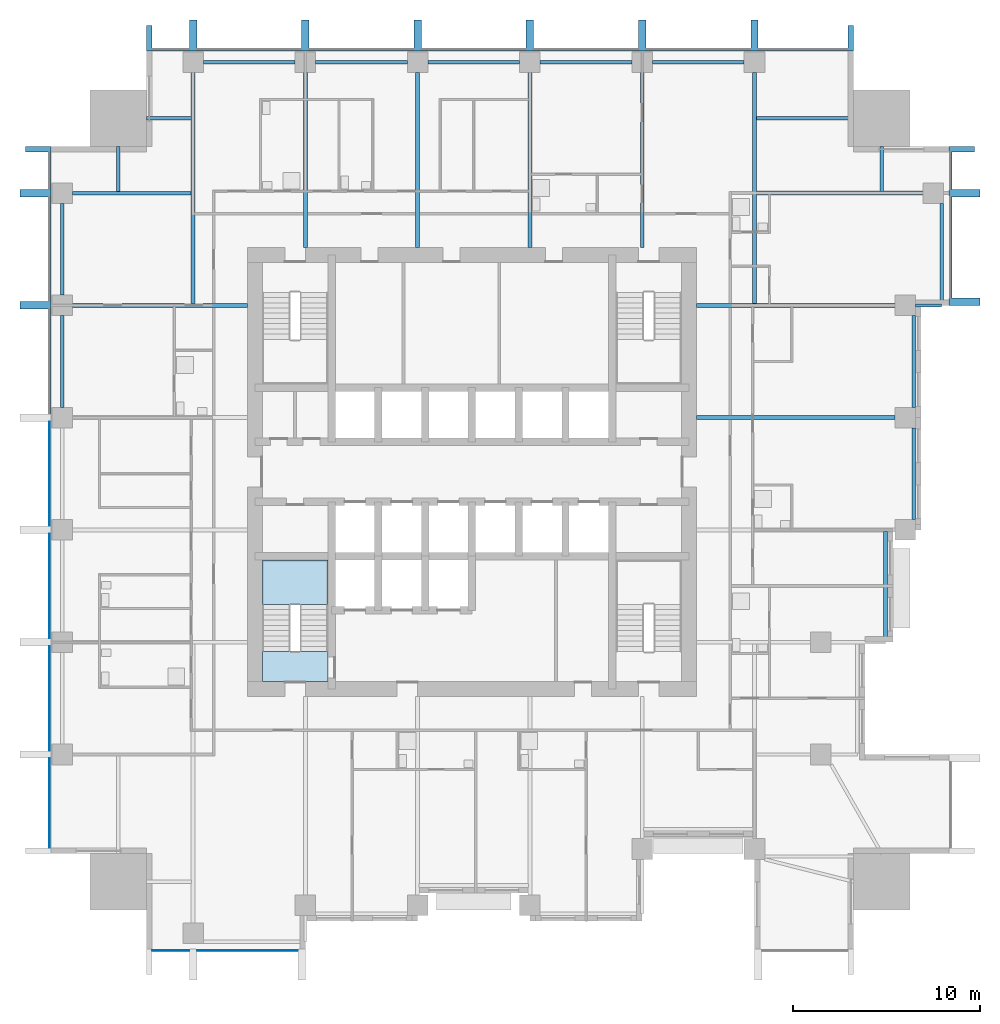
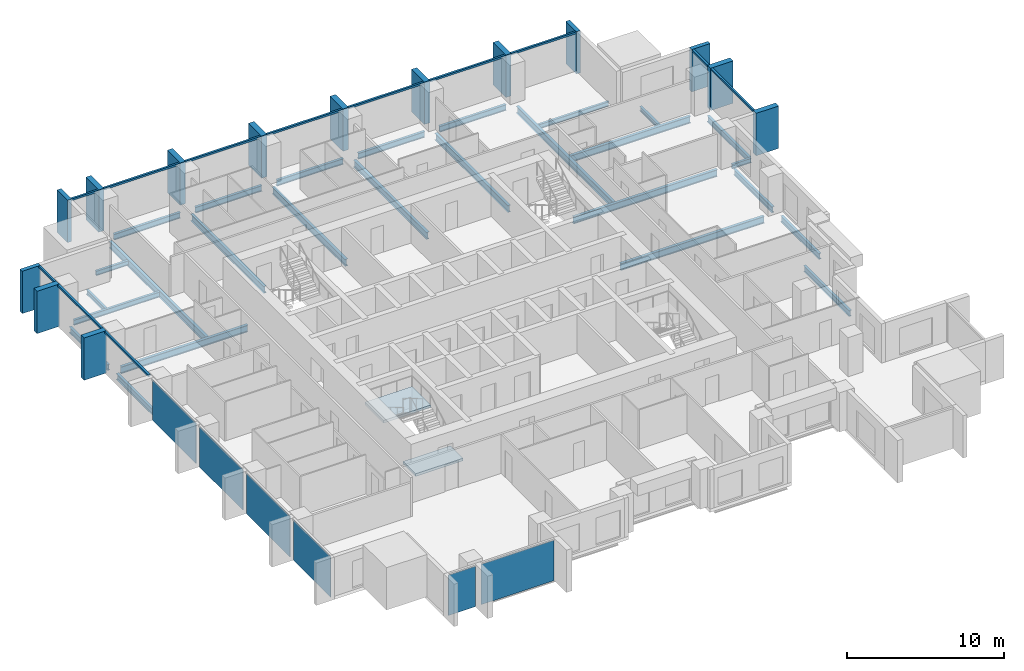
# One storey, part 2 of 10: 27 beams, 26 members, 6 plates, 2 slabs, 5 elements without a shape of their own.
"""IFC4 building model written with IfcOpenShell, lengths in metres."""

from ifc_helpers import new_model, si_unit, direction, frame, origin, origin_2d, place, context, subcontext, project, spatial, polyline, rectangle, i_section, outline, extrude, material, layer, layer_set, material_profile, profile_set, type_object, element, aggregate, save


model = new_model("IFC4")

# Units and contexts
model_context = context("Model", 3, precision=1e-05, world=origin(), true_north=direction((0.0, 1.0)))
body_context = subcontext(model_context, "Body", "Model", "MODEL_VIEW")
ifc_project = project(units=[si_unit("LENGTHUNIT", "METRE"), si_unit("AREAUNIT", "SQUARE_METRE"), si_unit("VOLUMEUNIT", "CUBIC_METRE"), si_unit("PLANEANGLEUNIT", "RADIAN"), si_unit("MASSUNIT", "GRAM", prefix="KILO")], contexts=[model_context])

# Site, building, storey
site_placement = place(None, origin())
site = spatial("IfcSite", under=ifc_project, at=site_placement, CompositionType="ELEMENT")
building_placement = place(site_placement, origin())
building = spatial("IfcBuilding", under=site, at=building_placement, Name="Amberfall Residences", CompositionType="ELEMENT")
storey_placement = place(building_placement, frame((0.0, 0.0, 118.300048828125)))
storey = spatial("IfcBuildingStorey", under=building, at=storey_placement, Name="L32", CompositionType="ELEMENT", Elevation=118.300048828125)

# Curtain wall, members
ifc_material_1 = material(Name="Bronze anodised aluminium and glass", Category="aluminium")
curtain_wall_type = type_object("IfcCurtainWallType", Name="Curtain wall CW1 tower unit", PredefinedType="USERDEFINED", material=ifc_material_1)
curtain_wall_1_placement = place(storey_placement, origin())
curtain_wall_1 = element("IfcCurtainWall", 1, at=curtain_wall_1_placement, inside=storey, type_object=curtain_wall_type, Name="Curtain wall L32 E E10", ObjectType="UNITISED CURTAIN WALL", PredefinedType="USERDEFINED")
ifc_material_2 = material(Name="Bronze anodised aluminium", Category="aluminium")
ifc_material_profile_1 = material_profile(ifc_material_2, rectangle(XDim=0.14990234375, YDim=0.14990234375, at=origin_2d()), Name="CW1 transom 150 x 150 bronze")
ifc_profile_set_1 = profile_set([ifc_material_profile_1], Name="Bronze anodised aluminium")
member_type_1 = type_object("IfcMemberType", Name="CW1 transom 150 x 150 bronze", PredefinedType="USERDEFINED", material=ifc_profile_set_1)
member_1_placement = place(storey_placement, frame((100.074951171875, 54.800048828125, 2.974853515625), z_axis=(0.0, 1.0, 0.0), x_axis=(-1.0, 0.0, 0.0)))
member_1 = element("IfcMember", 2, at=member_1_placement, type_object=member_type_1, Name="CW1 transom 1.1", ObjectType="TRANSOM", PredefinedType="USERDEFINED", context=body_context, shape_type="SweptSolid", body=[
    extrude(rectangle(XDim=0.14990234375, YDim=0.14990234375, at=origin_2d()), origin(), (0.0, 0.0, 1.0), 5.39990234375),
])
member_2_placement = place(storey_placement, frame((100.074951171875, 60.60009765625, 2.974853515625), z_axis=(0.0, 1.0, 0.0), x_axis=(-1.0, 0.0, 0.0)))
member_2 = element("IfcMember", 3, at=member_2_placement, type_object=member_type_1, Name="CW1 transom 2.1", ObjectType="TRANSOM", PredefinedType="USERDEFINED", context=body_context, shape_type="SweptSolid", body=[
    extrude(rectangle(XDim=0.14990234375, YDim=0.14990234375, at=origin_2d()), origin(), (0.0, 0.0, 1.0), 2.0),
])

curtain_wall_2_placement = place(storey_placement, origin())
curtain_wall_2 = element("IfcCurtainWall", 4, at=curtain_wall_2_placement, inside=storey, type_object=curtain_wall_type, Name="Curtain wall L32 N N1", ObjectType="UNITISED CURTAIN WALL", PredefinedType="USERDEFINED")
member_3_placement = place(storey_placement, frame((94.60009765625, 68.074951171875, 2.974853515625), z_axis=(-1.0, 0.0, 0.0), x_axis=(0.0, -1.0, 0.0)))
member_3 = element("IfcMember", 5, at=member_3_placement, type_object=member_type_1, Name="CW1 transom 1.1", ObjectType="TRANSOM", PredefinedType="USERDEFINED", context=body_context, shape_type="SweptSolid", body=[
    extrude(rectangle(XDim=0.14990234375, YDim=0.14990234375, at=origin_2d()), origin(), (0.0, 0.0, 1.0), 4.800048828125),
])
member_4_placement = place(storey_placement, frame((89.39990234375, 68.074951171875, 2.974853515625), z_axis=(-1.0, 0.0, 0.0), x_axis=(0.0, -1.0, 0.0)))
member_4 = element("IfcMember", 6, at=member_4_placement, type_object=member_type_1, Name="CW1 transom 2.1", ObjectType="TRANSOM", PredefinedType="USERDEFINED", context=body_context, shape_type="SweptSolid", body=[
    extrude(rectangle(XDim=0.14990234375, YDim=0.14990234375, at=origin_2d()), origin(), (0.0, 0.0, 1.0), 5.599853515625),
])
member_5_placement = place(storey_placement, frame((83.39990234375, 68.074951171875, 2.974853515625), z_axis=(-1.0, 0.0, 0.0), x_axis=(0.0, -1.0, 0.0)))
member_5 = element("IfcMember", 7, at=member_5_placement, type_object=member_type_1, Name="CW1 transom 3.1", ObjectType="TRANSOM", PredefinedType="USERDEFINED", context=body_context, shape_type="SweptSolid", body=[
    extrude(rectangle(XDim=0.14990234375, YDim=0.14990234375, at=origin_2d()), origin(), (0.0, 0.0, 1.0), 5.599853515625),
])
member_6_placement = place(storey_placement, frame((77.39990234375, 68.074951171875, 2.974853515625), z_axis=(-1.0, 0.0, 0.0), x_axis=(0.0, -1.0, 0.0)))
member_6 = element("IfcMember", 8, at=member_6_placement, type_object=member_type_1, Name="CW1 transom 4.1", ObjectType="TRANSOM", PredefinedType="USERDEFINED", context=body_context, shape_type="SweptSolid", body=[
    extrude(rectangle(XDim=0.14990234375, YDim=0.14990234375, at=origin_2d()), origin(), (0.0, 0.0, 1.0), 5.599853515625),
])
member_7_placement = place(storey_placement, frame((71.39990234375, 68.074951171875, 2.974853515625), z_axis=(-1.0, 0.0, 0.0), x_axis=(0.0, -1.0, 0.0)))
member_7 = element("IfcMember", 9, at=member_7_placement, type_object=member_type_1, Name="CW1 transom 5.1", ObjectType="TRANSOM", PredefinedType="USERDEFINED", context=body_context, shape_type="SweptSolid", body=[
    extrude(rectangle(XDim=0.14990234375, YDim=0.14990234375, at=origin_2d()), origin(), (0.0, 0.0, 1.0), 5.599853515625),
])
member_8_placement = place(storey_placement, frame((65.39990234375, 68.074951171875, 2.974853515625), z_axis=(-1.0, 0.0, 0.0), x_axis=(0.0, -1.0, 0.0)))
member_8 = element("IfcMember", 10, at=member_8_placement, type_object=member_type_1, Name="CW1 transom 6.1", ObjectType="TRANSOM", PredefinedType="USERDEFINED", context=body_context, shape_type="SweptSolid", body=[
    extrude(rectangle(XDim=0.14990234375, YDim=0.14990234375, at=origin_2d()), origin(), (0.0, 0.0, 1.0), 5.599853515625),
])
member_9_placement = place(storey_placement, frame((59.39990234375, 68.074951171875, 2.974853515625), z_axis=(-1.0, 0.0, 0.0), x_axis=(0.0, -1.0, 0.0)))
member_9 = element("IfcMember", 11, at=member_9_placement, type_object=member_type_1, Name="CW1 transom 7.1", ObjectType="TRANSOM", PredefinedType="USERDEFINED", context=body_context, shape_type="SweptSolid", body=[
    extrude(rectangle(XDim=0.14990234375, YDim=0.14990234375, at=origin_2d()), origin(), (0.0, 0.0, 1.0), 2.0),
])

curtain_wall_3_placement = place(storey_placement, origin())
curtain_wall_3 = element("IfcCurtainWall", 12, at=curtain_wall_3_placement, inside=storey, type_object=curtain_wall_type, Name="Curtain wall L32 W W1", ObjectType="UNITISED CURTAIN WALL", PredefinedType="USERDEFINED")
member_10_placement = place(storey_placement, frame((51.925048828125, 62.60009765625, 2.974853515625), z_axis=(0.0, -1.0, 0.0), x_axis=(1.0, 0.0, 0.0)))
member_10 = element("IfcMember", 13, at=member_10_placement, type_object=member_type_1, Name="CW1 transom 1.1", ObjectType="TRANSOM", PredefinedType="USERDEFINED", context=body_context, shape_type="SweptSolid", body=[
    extrude(rectangle(XDim=0.14990234375, YDim=0.14990234375, at=origin_2d()), origin(), (0.0, 0.0, 1.0), 2.0),
])
member_11_placement = place(storey_placement, frame((51.925048828125, 60.199951171875, 2.974853515625), z_axis=(0.0, -1.0, 0.0), x_axis=(1.0, 0.0, 0.0)))
member_11 = element("IfcMember", 14, at=member_11_placement, type_object=member_type_1, Name="CW1 transom 2.1", ObjectType="TRANSOM", PredefinedType="USERDEFINED", context=body_context, shape_type="SweptSolid", body=[
    extrude(rectangle(XDim=0.14990234375, YDim=0.14990234375, at=origin_2d()), origin(), (0.0, 0.0, 1.0), 5.599853515625),
])
member_12_placement = place(storey_placement, frame((51.925048828125, 54.199951171875, 2.974853515625), z_axis=(0.0, -1.0, 0.0), x_axis=(1.0, 0.0, 0.0)))
member_12 = element("IfcMember", 15, at=member_12_placement, type_object=member_type_1, Name="CW1 transom 3.1", ObjectType="TRANSOM", PredefinedType="USERDEFINED", context=body_context, shape_type="SweptSolid", body=[
    extrude(rectangle(XDim=0.14990234375, YDim=0.14990234375, at=origin_2d()), origin(), (0.0, 0.0, 1.0), 5.599853515625),
])

# Beam
ifc_material_3 = material(Name="Steel S355", Category="steel")
ifc_material_profile_2 = material_profile(ifc_material_3, i_section(OverallWidth=0.171142578125, OverallDepth=0.351318359375, WebThickness=0.007080078125, FlangeThickness=0.009765625, FilletRadius=0.01025390625, at=origin_2d()), Name="UB 356x171x45")
ifc_profile_set_2 = profile_set([ifc_material_profile_2], Name="Steel S355")
beam_type_1 = type_object("IfcBeamType", Name="Cantilever girder UB 356x171x45", PredefinedType="BEAM", material=ifc_profile_set_2)
beam_1_placement = place(storey_placement, frame((98.199951171875, 54.39990234375, -0.42578125), z_axis=(1.0, 0.0, 0.0), x_axis=(0.0, 1.0, 0.0)))
element("IfcBeam", 16, at=beam_1_placement, inside=storey, type_object=beam_type_1, Name="Cantilever girder B8 L32 21", PredefinedType="BEAM", context=body_context, shape_type="SweptSolid", body=[
    extrude(i_section(OverallWidth=0.171142578125, OverallDepth=0.351318359375, WebThickness=0.007080078125, FlangeThickness=0.009765625, FilletRadius=0.01025390625, at=origin_2d()), origin(), (0.0, 0.0, 1.0), 1.400146484375),
])

# Member
ifc_material_profile_3 = material_profile(ifc_material_2, rectangle(XDim=1.35009765625, YDim=0.300048828125, at=origin_2d()), Name="Corner fin 300 x 1350 bronze")
ifc_profile_set_3 = profile_set([ifc_material_profile_3], Name="Bronze anodised aluminium")
member_type_2 = type_object("IfcMemberType", Name="Corner fin 300 x 1350 bronze", PredefinedType="MULLION", material=ifc_profile_set_3)
member_13_placement = place(storey_placement, frame((100.675048828125, 62.75, -0.25), z_axis=(0.0, 0.0, 1.0), x_axis=(-1.0, 0.0, 0.0)))
member_13 = element("IfcMember", 17, at=member_13_placement, type_object=member_type_2, Name="CW FIN 3", PredefinedType="MULLION", context=body_context, shape_type="SweptSolid", body=[
    extrude(rectangle(XDim=1.35009765625, YDim=0.300048828125, at=origin_2d()), origin(), (0.0, 0.0, 1.0), 3.300048828125),
])

member_14_placement = place(storey_placement, frame((94.75, 68.675048828125, -0.25), z_axis=(0.0, 0.0, 1.0), x_axis=(0.0, -1.0, 0.0)))
member_14 = element("IfcMember", 18, at=member_14_placement, type_object=member_type_2, Name="CW FIN 1", PredefinedType="MULLION", context=body_context, shape_type="SweptSolid", body=[
    extrude(rectangle(XDim=1.35009765625, YDim=0.300048828125, at=origin_2d()), origin(), (0.0, 0.0, 1.0), 3.300048828125),
])

member_15_placement = place(storey_placement, frame((57.25, 68.675048828125, -0.25), z_axis=(0.0, 0.0, 1.0), x_axis=(0.0, -1.0, 0.0)))
member_15 = element("IfcMember", 19, at=member_15_placement, type_object=member_type_2, Name="CW FIN 8", PredefinedType="MULLION", context=body_context, shape_type="SweptSolid", body=[
    extrude(rectangle(XDim=1.35009765625, YDim=0.300048828125, at=origin_2d()), origin(), (0.0, 0.0, 1.0), 3.300048828125),
])

member_16_placement = place(storey_placement, frame((51.324951171875, 62.75, -0.25), z_axis=(0.0, 0.0, 1.0), x_axis=(1.0, 0.0, 0.0)))
member_16 = element("IfcMember", 20, at=member_16_placement, type_object=member_type_2, Name="CW FIN 1", PredefinedType="MULLION", context=body_context, shape_type="SweptSolid", body=[
    extrude(rectangle(XDim=1.35009765625, YDim=0.300048828125, at=origin_2d()), origin(), (0.0, 0.0, 1.0), 3.300048828125),
])

# Beams
ifc_material_profile_4 = material_profile(ifc_material_3, i_section(OverallWidth=0.18994140625, OverallDepth=0.453369140625, WebThickness=0.008544921875, FlangeThickness=0.0126953125, FilletRadius=0.01025390625, at=origin_2d()), Name="UB 457x191x67")
ifc_profile_set_4 = profile_set([ifc_material_profile_4], Name="Steel S355")
beam_type_2 = type_object("IfcBeamType", Name="Edge beam UB 457x191x67", PredefinedType="SPANDREL", material=ifc_profile_set_4)
beam_2_placement = place(storey_placement, frame((96.60009765625, 36.47998046875, -0.476806640625), z_axis=(0.0, 1.0, 0.0), x_axis=(-1.0, 0.0, 0.0)))
element("IfcBeam", 21, at=beam_2_placement, inside=storey, type_object=beam_type_2, Name="Edge beam B1 L32 15", PredefinedType="SPANDREL", context=body_context, shape_type="SweptSolid", body=[
    extrude(i_section(OverallWidth=0.18994140625, OverallDepth=0.453369140625, WebThickness=0.008544921875, FlangeThickness=0.0126953125, FilletRadius=0.01025390625, at=origin_2d()), origin(), (0.0, 0.0, 1.0), 5.840087890625),
])
for number, where, z_axis, x_axis, name in (
    (22, (98.10009765625, 42.949951171875, -0.476806640625), (0.0, 1.0, 0.0), (-1.0, 0.0, 0.0), "Edge beam B1 L32 16"),
    (23, (98.10009765625, 48.949951171875, -0.476806640625), (0.0, 1.0, 0.0), (-1.0, 0.0, 0.0), "Edge beam B1 L32 17"),
):
    element("IfcBeam", number, at=place(storey_placement, frame(where, z_axis=z_axis, x_axis=x_axis)), inside=storey, type_object=beam_type_2, Name=name, PredefinedType="SPANDREL", context=body_context, shape_type="SweptSolid", body=[
        extrude(i_section(OverallWidth=0.18994140625, OverallDepth=0.453369140625, WebThickness=0.008544921875, FlangeThickness=0.0126953125, FilletRadius=0.01025390625, at=origin_2d()), origin(), (0.0, 0.0, 1.0), 4.900146484375),
    ])
beam_3_placement = place(storey_placement, frame((99.60009765625, 54.47998046875, -0.476806640625), z_axis=(0.0, 1.0, 0.0), x_axis=(-1.0, 0.0, 0.0)))
element("IfcBeam", 24, at=beam_3_placement, inside=storey, type_object=beam_type_2, Name="Edge beam B1 L32 18", PredefinedType="SPANDREL", context=body_context, shape_type="SweptSolid", body=[
    extrude(i_section(OverallWidth=0.18994140625, OverallDepth=0.453369140625, WebThickness=0.008544921875, FlangeThickness=0.0126953125, FilletRadius=0.01025390625, at=origin_2d()), origin(), (0.0, 0.0, 1.0), 5.3701171875),
])
for number, where, z_axis, x_axis, name in (
    (25, (60.14990234375, 67.39990234375, -0.476806640625), (1.0, 0.0, 0.0), (0.0, 1.0, 0.0), "Edge beam B1 L32 28"),
    (26, (66.14990234375, 67.39990234375, -0.476806640625), (1.0, 0.0, 0.0), (0.0, 1.0, 0.0), "Edge beam B1 L32 29"),
    (27, (72.14990234375, 67.39990234375, -0.476806640625), (1.0, 0.0, 0.0), (0.0, 1.0, 0.0), "Edge beam B1 L32 30"),
    (28, (78.14990234375, 67.39990234375, -0.476806640625), (1.0, 0.0, 0.0), (0.0, 1.0, 0.0), "Edge beam B1 L32 31"),
    (29, (84.14990234375, 67.39990234375, -0.476806640625), (1.0, 0.0, 0.0), (0.0, 1.0, 0.0), "Edge beam B1 L32 32"),
    (30, (52.60009765625, 48.949951171875, -0.476806640625), (0.0, 1.0, 0.0), (-1.0, 0.0, 0.0), "Edge beam B1 L32 42"),
    (31, (52.60009765625, 54.949951171875, -0.476806640625), (0.0, 1.0, 0.0), (-1.0, 0.0, 0.0), "Edge beam B1 L32 43"),
):
    element("IfcBeam", number, at=place(storey_placement, frame(where, z_axis=z_axis, x_axis=x_axis)), inside=storey, type_object=beam_type_2, Name=name, PredefinedType="SPANDREL", context=body_context, shape_type="SweptSolid", body=[
        extrude(i_section(OverallWidth=0.18994140625, OverallDepth=0.453369140625, WebThickness=0.008544921875, FlangeThickness=0.0126953125, FilletRadius=0.01025390625, at=origin_2d()), origin(), (0.0, 0.0, 1.0), 4.900146484375),
    ])

# Member
ifc_material_profile_5 = material_profile(ifc_material_2, rectangle(XDim=1.64990234375, YDim=0.39990234375, at=origin_2d()), Name="Fin 400 x 1650 bronze")
ifc_profile_set_5 = profile_set([ifc_material_profile_5], Name="Bronze anodised aluminium")
member_type_3 = type_object("IfcMemberType", Name="Fin 400 x 1650 bronze", PredefinedType="MULLION", material=ifc_profile_set_5)
member_17_placement = place(storey_placement, frame((100.824951171875, 54.60009765625, -0.25), z_axis=(0.0, 0.0, 1.0), x_axis=(-1.0, 0.0, 0.0)))
member_17 = element("IfcMember", 32, at=member_17_placement, type_object=member_type_3, Name="CW FIN 1", PredefinedType="MULLION", context=body_context, shape_type="SweptSolid", body=[
    extrude(rectangle(XDim=1.64990234375, YDim=0.39990234375, at=origin_2d()), origin(), (0.0, 0.0, 1.0), 3.300048828125),
])

member_18_placement = place(storey_placement, frame((100.824951171875, 60.39990234375, -0.25), z_axis=(0.0, 0.0, 1.0), x_axis=(-1.0, 0.0, 0.0)))
member_18 = element("IfcMember", 33, at=member_18_placement, type_object=member_type_3, Name="CW FIN 2", PredefinedType="MULLION", context=body_context, shape_type="SweptSolid", body=[
    extrude(rectangle(XDim=1.64990234375, YDim=0.39990234375, at=origin_2d()), origin(), (0.0, 0.0, 1.0), 3.300048828125),
])

aggregate(curtain_wall_1, [member_17, member_18, member_13, member_1, member_2])

member_19_placement = place(storey_placement, frame((89.60009765625, 68.824951171875, -0.25), z_axis=(0.0, 0.0, 1.0), x_axis=(0.0, -1.0, 0.0)))
member_19 = element("IfcMember", 34, at=member_19_placement, type_object=member_type_3, Name="CW FIN 2", PredefinedType="MULLION", context=body_context, shape_type="SweptSolid", body=[
    extrude(rectangle(XDim=1.64990234375, YDim=0.39990234375, at=origin_2d()), origin(), (0.0, 0.0, 1.0), 3.300048828125),
])

member_20_placement = place(storey_placement, frame((83.60009765625, 68.824951171875, -0.25), z_axis=(0.0, 0.0, 1.0), x_axis=(0.0, -1.0, 0.0)))
member_20 = element("IfcMember", 35, at=member_20_placement, type_object=member_type_3, Name="CW FIN 3", PredefinedType="MULLION", context=body_context, shape_type="SweptSolid", body=[
    extrude(rectangle(XDim=1.64990234375, YDim=0.39990234375, at=origin_2d()), origin(), (0.0, 0.0, 1.0), 3.300048828125),
])

member_21_placement = place(storey_placement, frame((77.60009765625, 68.824951171875, -0.25), z_axis=(0.0, 0.0, 1.0), x_axis=(0.0, -1.0, 0.0)))
member_21 = element("IfcMember", 36, at=member_21_placement, type_object=member_type_3, Name="CW FIN 4", PredefinedType="MULLION", context=body_context, shape_type="SweptSolid", body=[
    extrude(rectangle(XDim=1.64990234375, YDim=0.39990234375, at=origin_2d()), origin(), (0.0, 0.0, 1.0), 3.300048828125),
])

member_22_placement = place(storey_placement, frame((71.60009765625, 68.824951171875, -0.25), z_axis=(0.0, 0.0, 1.0), x_axis=(0.0, -1.0, 0.0)))
member_22 = element("IfcMember", 37, at=member_22_placement, type_object=member_type_3, Name="CW FIN 5", PredefinedType="MULLION", context=body_context, shape_type="SweptSolid", body=[
    extrude(rectangle(XDim=1.64990234375, YDim=0.39990234375, at=origin_2d()), origin(), (0.0, 0.0, 1.0), 3.300048828125),
])

member_23_placement = place(storey_placement, frame((65.60009765625, 68.824951171875, -0.25), z_axis=(0.0, 0.0, 1.0), x_axis=(0.0, -1.0, 0.0)))
member_23 = element("IfcMember", 38, at=member_23_placement, type_object=member_type_3, Name="CW FIN 6", PredefinedType="MULLION", context=body_context, shape_type="SweptSolid", body=[
    extrude(rectangle(XDim=1.64990234375, YDim=0.39990234375, at=origin_2d()), origin(), (0.0, 0.0, 1.0), 3.300048828125),
])

member_24_placement = place(storey_placement, frame((59.60009765625, 68.824951171875, -0.25), z_axis=(0.0, 0.0, 1.0), x_axis=(0.0, -1.0, 0.0)))
member_24 = element("IfcMember", 39, at=member_24_placement, type_object=member_type_3, Name="CW FIN 7", PredefinedType="MULLION", context=body_context, shape_type="SweptSolid", body=[
    extrude(rectangle(XDim=1.64990234375, YDim=0.39990234375, at=origin_2d()), origin(), (0.0, 0.0, 1.0), 3.300048828125),
])

aggregate(curtain_wall_2, [member_14, member_19, member_20, member_21, member_22, member_23, member_24, member_15, member_3, member_4, member_5, member_6, member_7, member_8, member_9])

member_25_placement = place(storey_placement, frame((51.175048828125, 60.39990234375, -0.25), z_axis=(0.0, 0.0, 1.0), x_axis=(1.0, 0.0, 0.0)))
member_25 = element("IfcMember", 40, at=member_25_placement, type_object=member_type_3, Name="CW FIN 2", PredefinedType="MULLION", context=body_context, shape_type="SweptSolid", body=[
    extrude(rectangle(XDim=1.64990234375, YDim=0.39990234375, at=origin_2d()), origin(), (0.0, 0.0, 1.0), 3.300048828125),
])

member_26_placement = place(storey_placement, frame((51.175048828125, 54.39990234375, -0.25), z_axis=(0.0, 0.0, 1.0), x_axis=(1.0, 0.0, 0.0)))
member_26 = element("IfcMember", 41, at=member_26_placement, type_object=member_type_3, Name="CW FIN 3", PredefinedType="MULLION", context=body_context, shape_type="SweptSolid", body=[
    extrude(rectangle(XDim=1.64990234375, YDim=0.39990234375, at=origin_2d()), origin(), (0.0, 0.0, 1.0), 3.300048828125),
])

# Beams
ifc_material_profile_6 = material_profile(ifc_material_3, i_section(OverallWidth=0.177734375, OverallDepth=0.402587890625, WebThickness=0.0078125, FlangeThickness=0.010986328125, FilletRadius=0.01025390625, at=origin_2d()), Name="UB 406x178x54")
ifc_profile_set_6 = profile_set([ifc_material_profile_6], Name="Steel S355")
beam_type_3 = type_object("IfcBeamType", Name="Floor girder UB 406x178x54", PredefinedType="BEAM", material=ifc_profile_set_6)
beam_4_placement = place(storey_placement, frame((53.14990234375, 60.39990234375, -0.451416015625), z_axis=(1.0, 0.0, 0.0), x_axis=(0.0, 1.0, 0.0)))
element("IfcBeam", 42, at=beam_4_placement, inside=storey, type_object=beam_type_3, Name="Floor girder B4 L32 49", PredefinedType="BEAM", context=body_context, shape_type="SweptSolid", body=[
    extrude(i_section(OverallWidth=0.177734375, OverallDepth=0.402587890625, WebThickness=0.0078125, FlangeThickness=0.010986328125, FilletRadius=0.01025390625, at=origin_2d()), origin(), (0.0, 0.0, 1.0), 6.330078125),
])
ifc_material_profile_7 = material_profile(ifc_material_3, i_section(OverallWidth=0.210693359375, OverallDepth=0.53955078125, WebThickness=0.01171875, FlangeThickness=0.018798828125, FilletRadius=0.0126953125, at=origin_2d()), Name="UB 533x210x109")
ifc_profile_set_7 = profile_set([ifc_material_profile_7], Name="Steel S355")
beam_type_4 = type_object("IfcBeamType", Name="Floor girder UB 533x210x109", PredefinedType="BEAM", material=ifc_profile_set_7)
for number, where, z_axis, x_axis, name in (
    (43, (59.60009765625, 66.85009765625, -0.519775390625), (0.0, -1.0, 0.0), (1.0, 0.0, 0.0), "Floor girder B2 L32 33"),
    (44, (89.60009765625, 66.85009765625, -0.519775390625), (0.0, -1.0, 0.0), (1.0, 0.0, 0.0), "Floor girder B2 L32 38"),
):
    element("IfcBeam", number, at=place(storey_placement, frame(where, z_axis=z_axis, x_axis=x_axis)), inside=storey, type_object=beam_type_4, Name=name, PredefinedType="BEAM", context=body_context, shape_type="SweptSolid", body=[
        extrude(i_section(OverallWidth=0.210693359375, OverallDepth=0.53955078125, WebThickness=0.01171875, FlangeThickness=0.018798828125, FilletRadius=0.0126953125, at=origin_2d()), origin(), (0.0, 0.0, 1.0), 12.3505859375),
    ])
ifc_material_profile_8 = material_profile(ifc_material_3, i_section(OverallWidth=0.209228515625, OverallDepth=0.533203125, WebThickness=0.010009765625, FlangeThickness=0.015625, FilletRadius=0.0126953125, at=origin_2d()), Name="UB 533x210x92")
ifc_profile_set_8 = profile_set([ifc_material_profile_8], Name="Steel S355")
beam_type_5 = type_object("IfcBeamType", Name="Floor girder UB 533x210x92", PredefinedType="BEAM", material=ifc_profile_set_8)
for number, where, z_axis, x_axis, name in (
    (45, (97.10009765625, 48.39990234375, -0.5166015625), (-1.0, 0.0, 0.0), (0.0, -1.0, 0.0), "Floor girder B3 L32 25"),
    (46, (97.10009765625, 54.39990234375, -0.5166015625), (-1.0, 0.0, 0.0), (0.0, -1.0, 0.0), "Floor girder B3 L32 26"),
):
    element("IfcBeam", number, at=place(storey_placement, frame(where, z_axis=z_axis, x_axis=x_axis)), inside=storey, type_object=beam_type_5, Name=name, PredefinedType="BEAM", context=body_context, shape_type="SweptSolid", body=[
        extrude(i_section(OverallWidth=0.209228515625, OverallDepth=0.533203125, WebThickness=0.010009765625, FlangeThickness=0.015625, FilletRadius=0.0126953125, at=origin_2d()), origin(), (0.0, 0.0, 1.0), 10.60009765625),
    ])
beam_5_placement = place(storey_placement, frame((98.60009765625, 60.39990234375, -0.5166015625), z_axis=(-1.0, 0.0, 0.0), x_axis=(0.0, -1.0, 0.0)))
element("IfcBeam", 47, at=beam_5_placement, inside=storey, type_object=beam_type_5, Name="Floor girder B3 L32 27", PredefinedType="BEAM", context=body_context, shape_type="SweptSolid", body=[
    extrude(i_section(OverallWidth=0.209228515625, OverallDepth=0.533203125, WebThickness=0.010009765625, FlangeThickness=0.015625, FilletRadius=0.0126953125, at=origin_2d()), origin(), (0.0, 0.0, 1.0), 8.880126953125),
])
for number, where, z_axis, x_axis, name in (
    (48, (65.60009765625, 66.85009765625, -0.5166015625), (0.0, -1.0, 0.0), (1.0, 0.0, 0.0), "Floor girder B3 L32 34"),
    (49, (71.60009765625, 66.85009765625, -0.5166015625), (0.0, -1.0, 0.0), (1.0, 0.0, 0.0), "Floor girder B3 L32 35"),
    (50, (77.60009765625, 66.85009765625, -0.5166015625), (0.0, -1.0, 0.0), (1.0, 0.0, 0.0), "Floor girder B3 L32 36"),
    (51, (83.60009765625, 66.85009765625, -0.5166015625), (0.0, -1.0, 0.0), (1.0, 0.0, 0.0), "Floor girder B3 L32 37"),
    (52, (53.14990234375, 54.39990234375, -0.5166015625), (1.0, 0.0, 0.0), (0.0, 1.0, 0.0), "Floor girder B3 L32 48"),
):
    element("IfcBeam", number, at=place(storey_placement, frame(where, z_axis=z_axis, x_axis=x_axis)), inside=storey, type_object=beam_type_5, Name=name, PredefinedType="BEAM", context=body_context, shape_type="SweptSolid", body=[
        extrude(i_section(OverallWidth=0.209228515625, OverallDepth=0.533203125, WebThickness=0.010009765625, FlangeThickness=0.015625, FilletRadius=0.0126953125, at=origin_2d()), origin(), (0.0, 0.0, 1.0), 9.35009765625),
    ])
ifc_material_profile_9 = material_profile(ifc_material_3, i_section(OverallWidth=0.171142578125, OverallDepth=0.351318359375, WebThickness=0.007080078125, FlangeThickness=0.009765625, FilletRadius=0.01025390625, at=origin_2d()), Name="UB 356x171x45")
ifc_profile_set_9 = profile_set([ifc_material_profile_9], Name="Steel S355")
beam_type_6 = type_object("IfcBeamType", Name="Link beam UB 356x171x45", PredefinedType="BEAM", material=ifc_profile_set_9)
beam_6_placement = place(storey_placement, frame((94.89990234375, 64.39990234375, -0.42578125), z_axis=(-1.0, 0.0, 0.0), x_axis=(0.0, -1.0, 0.0)))
element("IfcBeam", 53, at=beam_6_placement, inside=storey, type_object=beam_type_6, Name="Link beam B7 L32 55", PredefinedType="BEAM", context=body_context, shape_type="SweptSolid", body=[
    extrude(i_section(OverallWidth=0.171142578125, OverallDepth=0.351318359375, WebThickness=0.007080078125, FlangeThickness=0.009765625, FilletRadius=0.01025390625, at=origin_2d()), origin(), (0.0, 0.0, 1.0), 5.20458984375),
])
beam_7_placement = place(storey_placement, frame((96.39990234375, 62.89990234375, -0.42578125), z_axis=(0.0, -1.0, 0.0), x_axis=(1.0, 0.0, 0.0)))
element("IfcBeam", 54, at=beam_7_placement, inside=storey, type_object=beam_type_6, Name="Link beam B7 L32 56", PredefinedType="BEAM", context=body_context, shape_type="SweptSolid", body=[
    extrude(i_section(OverallWidth=0.171142578125, OverallDepth=0.351318359375, WebThickness=0.007080078125, FlangeThickness=0.009765625, FilletRadius=0.01025390625, at=origin_2d()), origin(), (0.0, 0.0, 1.0), 2.4052734375),
])
beam_8_placement = place(storey_placement, frame((57.10009765625, 64.39990234375, -0.42578125), z_axis=(1.0, 0.0, 0.0), x_axis=(0.0, 1.0, 0.0)))
element("IfcBeam", 55, at=beam_8_placement, inside=storey, type_object=beam_type_6, Name="Link beam B7 L32 57", PredefinedType="BEAM", context=body_context, shape_type="SweptSolid", body=[
    extrude(i_section(OverallWidth=0.171142578125, OverallDepth=0.351318359375, WebThickness=0.007080078125, FlangeThickness=0.009765625, FilletRadius=0.01025390625, at=origin_2d()), origin(), (0.0, 0.0, 1.0), 2.404541015625),
])
beam_9_placement = place(storey_placement, frame((55.60009765625, 62.89990234375, -0.42578125), z_axis=(0.0, -1.0, 0.0), x_axis=(1.0, 0.0, 0.0)))
element("IfcBeam", 56, at=beam_9_placement, inside=storey, type_object=beam_type_6, Name="Link beam B7 L32 58", PredefinedType="BEAM", context=body_context, shape_type="SweptSolid", body=[
    extrude(i_section(OverallWidth=0.171142578125, OverallDepth=0.351318359375, WebThickness=0.007080078125, FlangeThickness=0.009765625, FilletRadius=0.01025390625, at=origin_2d()), origin(), (0.0, 0.0, 1.0), 2.4208984375),
])

# Curtain wall, plates
curtain_wall_4_placement = place(storey_placement, origin())
curtain_wall_4 = element("IfcCurtainWall", 57, at=curtain_wall_4_placement, inside=storey, type_object=curtain_wall_type, Name="Curtain wall L32 S S1", ObjectType="UNITISED CURTAIN WALL", PredefinedType="USERDEFINED")
ifc_material_4 = material(Name="Tinted double glazed unit", Category="glass")
ifc_layer_1 = layer(ifc_material_4, 0.035888671875)
ifc_layer_set_1 = layer_set([ifc_layer_1], Name="CW1 panel 36 glazing")
plate_type = type_object("IfcPlateType", Name="CW1 panel 36 glazing", PredefinedType="CURTAIN_PANEL", material=ifc_layer_set_1)
plate_1_placement = place(storey_placement, frame((58.39990234375, 19.925048828125, -0.25), z_axis=(0.0, 0.0, 1.0), x_axis=(1.0, 0.0, 0.0)))
plate_1 = element("IfcPlate", 58, at=plate_1_placement, type_object=plate_type, Name="CW1 panel 1.1", PredefinedType="CURTAIN_PANEL", context=body_context, shape_type="SweptSolid", body=[
    extrude(rectangle(XDim=1.97607421875, YDim=0.035888671875, at=origin_2d()), origin(), (0.0, 0.0, 1.0), 3.14990234375),
])
plate_2_placement = place(storey_placement, frame((62.5, 19.925048828125, -0.25), z_axis=(0.0, 0.0, 1.0), x_axis=(1.0, 0.0, 0.0)))
plate_2 = element("IfcPlate", 59, at=plate_2_placement, type_object=plate_type, Name="CW1 panel 2.1", PredefinedType="CURTAIN_PANEL", context=body_context, shape_type="SweptSolid", body=[
    extrude(rectangle(XDim=5.3759765625, YDim=0.035888671875, at=origin_2d()), origin(), (0.0, 0.0, 1.0), 3.14990234375),
])
aggregate(curtain_wall_4, [plate_1, plate_2])

# Plate
plate_3_placement = place(storey_placement, frame((51.925048828125, 45.39990234375, -0.25), z_axis=(0.0, 0.0, 1.0), x_axis=(0.0, -1.0, 0.0)))
plate_3 = element("IfcPlate", 60, at=plate_3_placement, type_object=plate_type, Name="CW1 panel 4.1", PredefinedType="CURTAIN_PANEL", context=body_context, shape_type="SweptSolid", body=[
    extrude(rectangle(XDim=5.575927734375, YDim=0.035888671875, at=origin_2d()), origin(), (0.0, 0.0, 1.0), 3.14990234375),
])

plate_4_placement = place(storey_placement, frame((51.925048828125, 39.39990234375, -0.25), z_axis=(0.0, 0.0, 1.0), x_axis=(0.0, -1.0, 0.0)))
plate_4 = element("IfcPlate", 61, at=plate_4_placement, type_object=plate_type, Name="CW1 panel 5.1", PredefinedType="CURTAIN_PANEL", context=body_context, shape_type="SweptSolid", body=[
    extrude(rectangle(XDim=5.575927734375, YDim=0.035888671875, at=origin_2d()), origin(), (0.0, 0.0, 1.0), 3.14990234375),
])

plate_5_placement = place(storey_placement, frame((51.925048828125, 33.39990234375, -0.25), z_axis=(0.0, 0.0, 1.0), x_axis=(0.0, -1.0, 0.0)))
plate_5 = element("IfcPlate", 62, at=plate_5_placement, type_object=plate_type, Name="CW1 panel 6.1", PredefinedType="CURTAIN_PANEL", context=body_context, shape_type="SweptSolid", body=[
    extrude(rectangle(XDim=5.575927734375, YDim=0.035888671875, at=origin_2d()), origin(), (0.0, 0.0, 1.0), 3.14990234375),
])

plate_6_placement = place(storey_placement, frame((51.925048828125, 27.800048828125, -0.25), z_axis=(0.0, 0.0, 1.0), x_axis=(0.0, -1.0, 0.0)))
plate_6 = element("IfcPlate", 63, at=plate_6_placement, type_object=plate_type, Name="CW1 panel 7.1", PredefinedType="CURTAIN_PANEL", context=body_context, shape_type="SweptSolid", body=[
    extrude(rectangle(XDim=4.77587890625, YDim=0.035888671875, at=origin_2d()), origin(), (0.0, 0.0, 1.0), 3.14990234375),
])

aggregate(curtain_wall_3, [member_16, member_25, member_26, member_10, member_11, member_12, plate_3, plate_4, plate_5, plate_6])

# Stair, slabs
ifc_material_5 = material(Name="Concrete C40", Category="concrete")
stair_type = type_object("IfcStairType", Name="Exit stair 20 risers 165.0 mm", PredefinedType="HALF_TURN_STAIR", material=ifc_material_5)
stair_placement = place(storey_placement, origin())
stair = element("IfcStair", 64, at=stair_placement, inside=storey, type_object=stair_type, Name="L32 Exit stair 1", PredefinedType="HALF_TURN_STAIR")
ifc_layer_2 = layer(ifc_material_5, 0.199951171875)
ifc_layer_set_2 = layer_set([ifc_layer_2], Name="Stair landing 200")
slab_type = type_object("IfcSlabType", Name="Stair landing 200", PredefinedType="LANDING", material=ifc_layer_set_2)
slab_1_placement = place(storey_placement, frame((0.0, 0.0, 1.449951171875)))
slab_1 = element("IfcSlab", 65, at=slab_1_placement, type_object=slab_type, Name="ST3 landing 1", PredefinedType="LANDING", context=body_context, shape_type="SweptSolid", body=[
    extrude(outline(polyline([(66.800048828125, 38.419921875), (66.800048828125, 40.800048828125), (63.300048828125, 40.800048828125), (63.300048828125, 38.419921875), (66.800048828125, 38.419921875)])), origin(), (0.0, 0.0, 1.0), 0.199951171875),
])
slab_2_placement = place(storey_placement, frame((0.0, 0.0, -0.199951171875)))
slab_2 = element("IfcSlab", 66, at=slab_2_placement, type_object=slab_type, Name="ST3 landing 2", PredefinedType="LANDING", context=body_context, shape_type="SweptSolid", body=[
    extrude(outline(polyline([(66.800048828125, 34.300048828125), (66.800048828125, 35.89990234375), (63.300048828125, 35.89990234375), (63.300048828125, 34.300048828125), (66.800048828125, 34.300048828125)])), origin(), (0.0, 0.0, 1.0), 0.199951171875),
])
aggregate(stair, [slab_1, slab_2])

save(model, "model.ifc")
